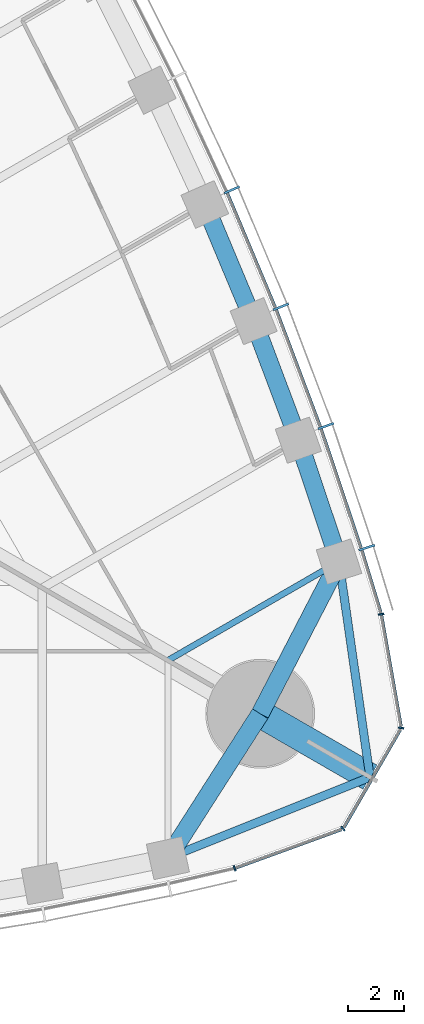
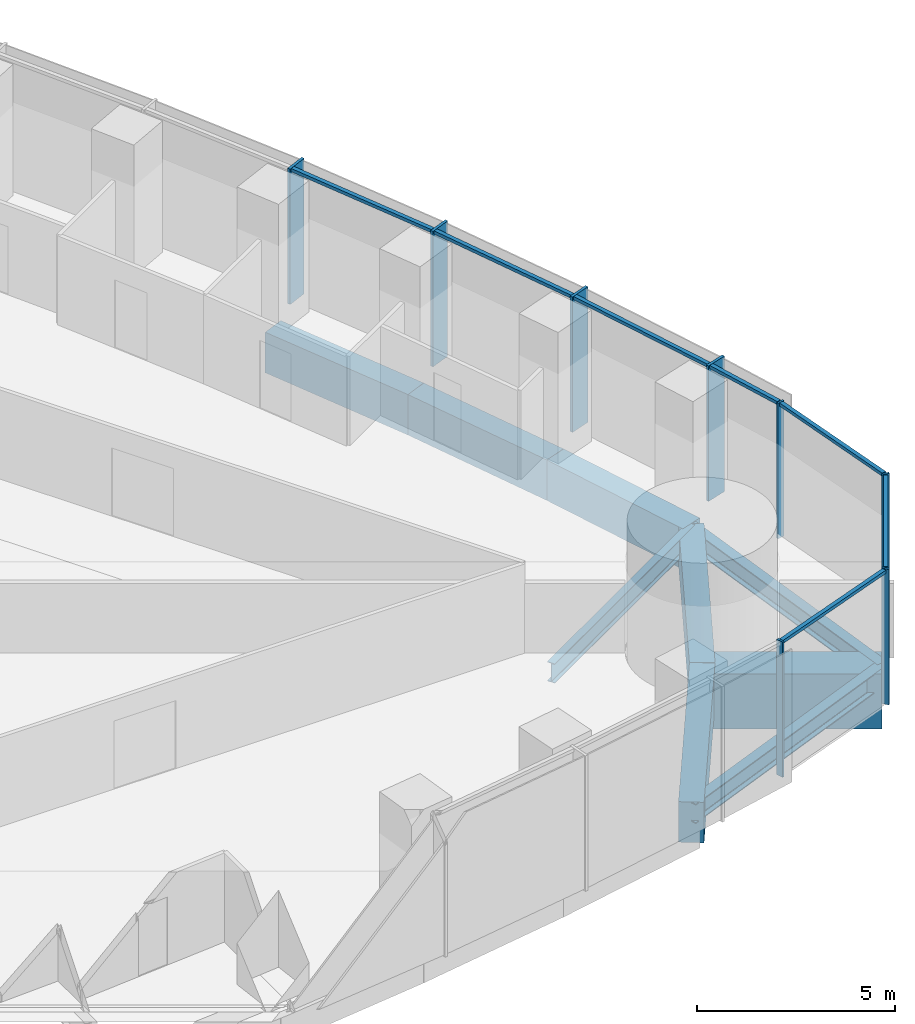
# One storey, part 8 of 19: 15 members, 9 beams, 2 elements without a shape of their own.
"""IFC4 building model written with IfcOpenShell, lengths in metres."""

from ifc_helpers import new_model, si_unit, direction, frame, origin, origin_2d, place, context, subcontext, project, spatial, rectangle, i_section, extrude, material, material_profile, profile_set, type_object, element, aggregate, save


model = new_model("IFC4")

# Units and contexts
model_context = context("Model", 3, precision=1e-05, world=origin(), true_north=direction((0.0, 1.0)))
body_context = subcontext(model_context, "Body", "Model", "MODEL_VIEW")
ifc_project = project(units=[si_unit("LENGTHUNIT", "METRE"), si_unit("AREAUNIT", "SQUARE_METRE"), si_unit("VOLUMEUNIT", "CUBIC_METRE"), si_unit("PLANEANGLEUNIT", "RADIAN"), si_unit("MASSUNIT", "GRAM", prefix="KILO")], contexts=[model_context])

# Site, building, storey
site_placement = place(None, origin())
site = spatial("IfcSite", under=ifc_project, at=site_placement, CompositionType="ELEMENT")
building_placement = place(site_placement, origin())
building = spatial("IfcBuilding", under=site, at=building_placement, Name="Trefoil Bronze Tower", CompositionType="ELEMENT")
storey_placement = place(building_placement, frame((0.0, 0.0, 128.300048828125)))
storey = spatial("IfcBuildingStorey", under=building, at=storey_placement, Name="L29", CompositionType="ELEMENT", Elevation=128.300048828125)

# Curtain wall, members
ifc_material_1 = material(Name="Tinted solar-control glass", Category="glass")
curtain_wall_type_1 = type_object("IfcCurtainWallType", Name="Bronze office curtain wall", PredefinedType="USERDEFINED", material=ifc_material_1)
curtain_wall_1_placement = place(storey_placement, origin())
curtain_wall_1 = element("IfcCurtainWall", 1, at=curtain_wall_1_placement, inside=storey, type_object=curtain_wall_type_1, Name="CW-A L29 F2", ObjectType="CURTAIN WALL", PredefinedType="USERDEFINED")
ifc_material_2 = material(Name="Bronze-finish aluminium", Category="aluminium")
ifc_material_profile_1 = material_profile(ifc_material_2, rectangle(XDim=0.60009765625, YDim=0.080078125, at=origin_2d()), Name="CW-A mullion")
ifc_profile_set_1 = profile_set([ifc_material_profile_1], Name="Bronze-finish aluminium")
member_type_1 = type_object("IfcMemberType", Name="Bronze office curtain wall mullion", PredefinedType="MULLION", material=ifc_profile_set_1)
member_1_placement = place(storey_placement, frame((34.1337890625, -11.543212890625, 0.0), z_axis=(0.0, 0.0, 1.0), x_axis=(-0.952331125357, -0.30506626768, 0.0)))
member_1 = element("IfcMember", 2, at=member_1_placement, type_object=member_type_1, Name="CW-A L29 F2 mullion 2", PredefinedType="MULLION", context=body_context, shape_type="SweptSolid", body=[
    extrude(rectangle(XDim=0.60009765625, YDim=0.080078125, at=origin_2d()), origin(), (0.0, 0.0, 1.0), 4.179931640625),
])
member_2_placement = place(storey_placement, frame((32.668701171875, -7.181884765625, 0.0), z_axis=(0.0, 0.0, 1.0), x_axis=(-0.94196250502, -0.335718094742, 0.0)))
member_2 = element("IfcMember", 3, at=member_2_placement, type_object=member_type_1, Name="CW-A L29 F2 mullion 3", PredefinedType="MULLION", context=body_context, shape_type="SweptSolid", body=[
    extrude(rectangle(XDim=0.60009765625, YDim=0.080078125, at=origin_2d()), origin(), (0.0, 0.0, 1.0), 4.179931640625),
])
member_3_placement = place(storey_placement, frame((31.055419921875, -2.90478515625, 0.0), z_axis=(0.0, 0.0, 1.0), x_axis=(-0.929071242848, -0.369900832269, 0.0)))
member_3 = element("IfcMember", 4, at=member_3_placement, type_object=member_type_1, Name="CW-A L29 F2 mullion 4", PredefinedType="MULLION", context=body_context, shape_type="SweptSolid", body=[
    extrude(rectangle(XDim=0.60009765625, YDim=0.080078125, at=origin_2d()), origin(), (0.0, 0.0, 1.0), 4.179931640625),
])
member_4_placement = place(storey_placement, frame((29.296875, 1.28857421875, 0.0), z_axis=(0.0, 0.0, 1.0), x_axis=(-0.915018269914, -0.40341240155, 0.0)))
member_4 = element("IfcMember", 5, at=member_4_placement, type_object=member_type_1, Name="CW-A L29 F2 mullion 5", PredefinedType="MULLION", context=body_context, shape_type="SweptSolid", body=[
    extrude(rectangle(XDim=0.60009765625, YDim=0.080078125, at=origin_2d()), origin(), (0.0, 0.0, 1.0), 4.179931640625),
])
ifc_material_3 = material(Name="Bronze-finish aluminium", Category="aluminium")
ifc_material_profile_2 = material_profile(ifc_material_3, rectangle(XDim=0.1201171875, YDim=0.10009765625, at=origin_2d()), Name="CW-A transom")
ifc_profile_set_2 = profile_set([ifc_material_profile_2], Name="Bronze-finish aluminium")
member_type_2 = type_object("IfcMemberType", Name="Bronze office curtain wall transom", PredefinedType="USERDEFINED", material=ifc_profile_set_2)
member_5_placement = place(storey_placement, frame((34.637939453125, -13.88232421875, 4.1298828125), z_axis=(-0.291680468798, 0.956515814883, 0.0), x_axis=(-0.956515814883, -0.291680468798, 0.0)))
member_5 = element("IfcMember", 6, at=member_5_placement, type_object=member_type_2, Name="CW-A L29 F2 transom 1", ObjectType="TRANSOM", PredefinedType="USERDEFINED", context=body_context, shape_type="SweptSolid", body=[
    extrude(rectangle(XDim=0.1201171875, YDim=0.10009765625, at=origin_2d()), origin(), (0.0, 0.0, 1.0), 2.34033203125),
])
member_6_placement = place(storey_placement, frame((33.929931640625, -11.56494140625, 4.1298828125), z_axis=(-0.318386323729, 0.947961048178, 0.0), x_axis=(-0.947961048178, -0.318386323729, 0.0)))
member_6 = element("IfcMember", 7, at=member_6_placement, type_object=member_type_2, Name="CW-A L29 F2 transom 2", ObjectType="TRANSOM", PredefinedType="USERDEFINED", context=body_context, shape_type="SweptSolid", body=[
    extrude(rectangle(XDim=0.1201171875, YDim=0.10009765625, at=origin_2d()), origin(), (0.0, 0.0, 1.0), 4.51123046875),
])
member_7_placement = place(storey_placement, frame((32.465576171875, -7.2099609375, 4.1298828125), z_axis=(-0.352932154759, 0.935648916067, 0.0), x_axis=(-0.935648916067, -0.352932154759, 0.0)))
member_7 = element("IfcMember", 8, at=member_7_placement, type_object=member_type_2, Name="CW-A L29 F2 transom 3", ObjectType="TRANSOM", PredefinedType="USERDEFINED", context=body_context, shape_type="SweptSolid", body=[
    extrude(rectangle(XDim=0.1201171875, YDim=0.10009765625, at=origin_2d()), origin(), (0.0, 0.0, 1.0), 4.48046875),
])
member_8_placement = place(storey_placement, frame((30.853515625, -2.940185546875, 4.1298828125), z_axis=(-0.386773266184, 0.922174842731, 0.0), x_axis=(-0.922174842731, -0.386773266184, 0.0)))
member_8 = element("IfcMember", 9, at=member_8_placement, type_object=member_type_2, Name="CW-A L29 F2 transom 4", ObjectType="TRANSOM", PredefinedType="USERDEFINED", context=body_context, shape_type="SweptSolid", body=[
    extrude(rectangle(XDim=0.1201171875, YDim=0.10009765625, at=origin_2d()), origin(), (0.0, 0.0, 1.0), 4.45654296875),
])
aggregate(curtain_wall_1, [member_1, member_2, member_3, member_4, member_5, member_6, member_7, member_8])

ifc_material_4 = material(Name="Tinted solar-control glass", Category="glass")
curtain_wall_type_2 = type_object("IfcCurtainWallType", Name="Bronze rounded corner curtain wall", PredefinedType="USERDEFINED", material=ifc_material_4)
curtain_wall_2_placement = place(storey_placement, origin())
curtain_wall_2 = element("IfcCurtainWall", 10, at=curtain_wall_2_placement, inside=storey, type_object=curtain_wall_type_2, Name="CW-B L29 K1", ObjectType="CURTAIN WALL", PredefinedType="USERDEFINED")
ifc_material_5 = material(Name="Bronze-finish aluminium", Category="aluminium")
ifc_material_profile_3 = material_profile(ifc_material_5, rectangle(XDim=0.199951171875, YDim=0.06005859375, at=origin_2d()), Name="CW-B mullion")
ifc_profile_set_3 = profile_set([ifc_material_profile_3], Name="Bronze-finish aluminium")
member_type_3 = type_object("IfcMemberType", Name="Bronze rounded corner curtain wall mullion", PredefinedType="MULLION", material=ifc_profile_set_3)
member_9_placement = place(storey_placement, frame((29.391845703125, -23.043701171875, 0.0), z_axis=(0.0, 0.0, 1.0), x_axis=(-0.342020143326, 0.939692620786, 0.0)))
member_9 = element("IfcMember", 11, at=member_9_placement, type_object=member_type_3, Name="CW-B L29 K1 mullion 1", PredefinedType="MULLION", context=body_context, shape_type="SweptSolid", body=[
    extrude(rectangle(XDim=0.199951171875, YDim=0.06005859375, at=origin_2d()), origin(), (0.0, 0.0, 1.0), 4.179931640625),
])
member_10_placement = place(storey_placement, frame((33.27880859375, -21.62255859375, 0.0), z_axis=(0.0, 0.0, 1.0), x_axis=(-0.642787609687, 0.766044443119, 0.0)))
member_10 = element("IfcMember", 12, at=member_10_placement, type_object=member_type_3, Name="CW-B L29 K1 mullion 2", PredefinedType="MULLION", context=body_context, shape_type="SweptSolid", body=[
    extrude(rectangle(XDim=0.199951171875, YDim=0.06005859375, at=origin_2d()), origin(), (0.0, 0.0, 1.0), 4.179931640625),
])
member_11_placement = place(storey_placement, frame((35.364990234375, -18.009033203125, 0.0), z_axis=(0.0, 0.0, 1.0), x_axis=(-0.984807753012, 0.173648177667, 0.0)))
member_11 = element("IfcMember", 13, at=member_11_placement, type_object=member_type_3, Name="CW-B L29 K1 mullion 3", PredefinedType="MULLION", context=body_context, shape_type="SweptSolid", body=[
    extrude(rectangle(XDim=0.199951171875, YDim=0.06005859375, at=origin_2d()), origin(), (0.0, 0.0, 1.0), 4.179931640625),
])
member_12_placement = place(storey_placement, frame((34.65234375, -13.932373046875, 0.0), z_axis=(0.0, 0.0, 1.0), x_axis=(-0.984807753012, -0.173648177667, 0.0)))
member_12 = element("IfcMember", 14, at=member_12_placement, type_object=member_type_3, Name="CW-B L29 K1 mullion 4", PredefinedType="MULLION", context=body_context, shape_type="SweptSolid", body=[
    extrude(rectangle(XDim=0.199951171875, YDim=0.06005859375, at=origin_2d()), origin(), (0.0, 0.0, 1.0), 4.179931640625),
])
ifc_material_6 = material(Name="Bronze-finish aluminium", Category="aluminium")
ifc_material_profile_4 = material_profile(ifc_material_6, rectangle(XDim=0.1201171875, YDim=0.10009765625, at=origin_2d()), Name="CW-B transom")
ifc_profile_set_4 = profile_set([ifc_material_profile_4], Name="Bronze-finish aluminium")
member_type_4 = type_object("IfcMemberType", Name="Bronze rounded corner curtain wall transom", PredefinedType="USERDEFINED", material=ifc_profile_set_4)
member_13_placement = place(storey_placement, frame((29.420166015625, -23.033447265625, 4.1298828125), z_axis=(0.939684096629, 0.342043562347, 0.0), x_axis=(-0.342043562347, 0.939684096629, 0.0)))
member_13 = element("IfcMember", 15, at=member_13_placement, type_object=member_type_4, Name="CW-B L29 K1 transom 1", ObjectType="TRANSOM", PredefinedType="USERDEFINED", context=body_context, shape_type="SweptSolid", body=[
    extrude(rectangle(XDim=0.1201171875, YDim=0.10009765625, at=origin_2d()), origin(), (0.0, 0.0, 1.0), 4.044189453125),
])
member_14_placement = place(storey_placement, frame((33.31591796875, -21.570068359375, 4.1298828125), z_axis=(0.500015078168, 0.866016698225, 0.0), x_axis=(-0.866016698225, 0.500015078168, 0.0)))
member_14 = element("IfcMember", 16, at=member_14_placement, type_object=member_type_4, Name="CW-B L29 K1 transom 2", ObjectType="TRANSOM", PredefinedType="USERDEFINED", context=body_context, shape_type="SweptSolid", body=[
    extrude(rectangle(XDim=0.1201171875, YDim=0.10009765625, at=origin_2d()), origin(), (0.0, 0.0, 1.0), 4.04443359375),
])
member_15_placement = place(storey_placement, frame((35.35986328125, -17.944580078125, 4.1298828125), z_axis=(-0.173682016639, 0.984801785689, 0.0), x_axis=(-0.984801785689, -0.173682016639, 0.0)))
member_15 = element("IfcMember", 17, at=member_15_placement, type_object=member_type_4, Name="CW-B L29 K1 transom 3", ObjectType="TRANSOM", PredefinedType="USERDEFINED", context=body_context, shape_type="SweptSolid", body=[
    extrude(rectangle(XDim=0.1201171875, YDim=0.10009765625, at=origin_2d()), origin(), (0.0, 0.0, 1.0), 4.044189453125),
])
aggregate(curtain_wall_2, [member_9, member_10, member_11, member_12, member_13, member_14, member_15])

# Beams
ifc_material_7 = material(Name="Concrete B80", Category="concrete")
ifc_material_profile_5 = material_profile(ifc_material_7, rectangle(XDim=1.0, YDim=1.699951171875, at=origin_2d()), Name="RC 1000x1700")
ifc_profile_set_5 = profile_set([ifc_material_profile_5], Name="Concrete B80")
beam_type_1 = type_object("IfcBeamType", Name="Corner cantilever RC 1000x1700", PredefinedType="BEAM", material=ifc_profile_set_5)
beam_1_placement = place(storey_placement, frame((30.310791015625, -17.5, -1.050048828125), z_axis=(0.866031878637, -0.499988785058, 0.0), x_axis=(0.499988785058, 0.866031878637, 0.0)))
element("IfcBeam", 18, at=beam_1_placement, inside=storey, type_object=beam_type_1, Name="Corner cantilever K1 L29", PredefinedType="BEAM", context=body_context, shape_type="SweptSolid", body=[
    extrude(rectangle(XDim=1.0, YDim=1.699951171875, at=origin_2d()), origin(), (0.0, 0.0, 1.0), 4.54931640625),
])
ifc_material_8 = material(Name="Steel C355", Category="steel")
ifc_material_profile_6 = material_profile(ifc_material_8, i_section(OverallWidth=0.300048828125, OverallDepth=0.60009765625, WebThickness=0.015380859375, FlangeThickness=0.030029296875, FilletRadius=0.027099609375, at=origin_2d()), Name="HEB 600")
ifc_profile_set_6 = profile_set([ifc_material_profile_6], Name="Steel C355")
beam_type_2 = type_object("IfcBeamType", Name="Corner edge beam HEB 600", PredefinedType="BEAM", material=ifc_profile_set_6)
for number, where, z_axis, x_axis, name in (
    (19, (27.0, -22.67724609375, -0.5), (0.928375332495, 0.371643972122, 0.0), (-0.371643972122, 0.928375332495, 0.0), "Corner edge beam F1A L29"),
    (20, (33.13916015625, -12.044189453125, -0.5), (0.142327214588, -0.989819662357, 0.0), (0.989819662357, 0.142327214588, 0.0), "Corner edge beam F2B L29"),
):
    element("IfcBeam", number, at=place(storey_placement, frame(where, z_axis=z_axis, x_axis=x_axis)), inside=storey, type_object=beam_type_2, Name=name, PredefinedType="BEAM", context=body_context, shape_type="SweptSolid", body=[
        extrude(i_section(OverallWidth=0.300048828125, OverallDepth=0.60009765625, WebThickness=0.015380859375, FlangeThickness=0.030029296875, FilletRadius=0.027099609375, at=origin_2d()), origin(), (0.0, 0.0, 1.0), 7.81005859375),
    ])
ifc_material_9 = material(Name="Concrete B80", Category="concrete")
ifc_material_profile_7 = material_profile(ifc_material_9, rectangle(XDim=0.64990234375, YDim=1.25, at=origin_2d()), Name="RC 650x1250")
ifc_profile_set_7 = profile_set([ifc_material_profile_7], Name="Concrete B80")
beam_type_3 = type_object("IfcBeamType", Name="End spandrel beam RC 650x1250", PredefinedType="SPANDREL", material=ifc_profile_set_7)
for number, where, z_axis, x_axis, name in (
    (21, (27.0, -22.67724609375, -0.824951171875), (0.53874814953, 0.84246687257, 0.0), (-0.84246687257, 0.53874814953, 0.0), "Spandrel F1.14 L29"),
    (22, (30.310791015625, -17.5, -0.824951171875), (0.460244107083, 0.887792409235, 0.0), (-0.887792409235, 0.460244107083, 0.0), "Spandrel F2.1 L29"),
):
    element("IfcBeam", number, at=place(storey_placement, frame(where, z_axis=z_axis, x_axis=x_axis)), inside=storey, type_object=beam_type_3, Name=name, PredefinedType="SPANDREL", context=body_context, shape_type="SweptSolid", body=[
        extrude(rectangle(XDim=0.64990234375, YDim=1.25, at=origin_2d()), origin(), (0.0, 0.0, 1.0), 6.145263671875),
    ])
ifc_material_10 = material(Name="Steel C355", Category="steel")
ifc_material_profile_8 = material_profile(ifc_material_10, i_section(OverallWidth=0.219970703125, OverallDepth=0.60009765625, WebThickness=0.011962890625, FlangeThickness=0.01904296875, FilletRadius=0.02392578125, at=origin_2d()), Name="IPE 600")
ifc_profile_set_8 = profile_set([ifc_material_profile_8], Name="Steel C355")
beam_type_4 = type_object("IfcBeamType", Name="Floor beam IPE 600", PredefinedType="BEAM", material=ifc_profile_set_8)
beam_2_placement = place(storey_placement, frame((33.13916015625, -12.044189453125, -0.5), z_axis=(-0.866041060244, -0.499972881236, 0.0), x_axis=(0.499972881236, -0.866041060244, 0.0)))
element("IfcBeam", 23, at=beam_2_placement, inside=storey, type_object=beam_type_4, Name="Floor beam F2/-6 L29", PredefinedType="BEAM", context=body_context, shape_type="SweptSolid", body=[
    extrude(i_section(OverallWidth=0.219970703125, OverallDepth=0.60009765625, WebThickness=0.011962890625, FlangeThickness=0.01904296875, FilletRadius=0.02392578125, at=origin_2d()), origin(), (0.0, 0.0, 1.0), 7.0888671875),
])
ifc_material_11 = material(Name="Concrete B80", Category="concrete")
ifc_material_profile_9 = material_profile(ifc_material_11, rectangle(XDim=0.64990234375, YDim=1.25, at=origin_2d()), Name="RC 650x1250")
ifc_profile_set_9 = profile_set([ifc_material_profile_9], Name="Concrete B80")
beam_type_5 = type_object("IfcBeamType", Name="Spandrel beam RC 650x1250", PredefinedType="SPANDREL", material=ifc_profile_set_9)
beam_3_placement = place(storey_placement, frame((33.13916015625, -12.044189453125, -0.824951171875), z_axis=(-0.31732802068, 0.948315837309, 0.0), x_axis=(-0.948315837309, -0.31732802068, 0.0)))
element("IfcBeam", 24, at=beam_3_placement, inside=storey, type_object=beam_type_5, Name="Spandrel F2.2 L29", PredefinedType="SPANDREL", context=body_context, shape_type="SweptSolid", body=[
    extrude(rectangle(XDim=0.64990234375, YDim=1.25, at=origin_2d()), origin(), (0.0, 0.0, 1.0), 4.59228515625),
])
beam_4_placement = place(storey_placement, frame((31.681884765625, -7.689208984375, -0.824951171875), z_axis=(-0.351938675523, 0.936023059904, 0.0), x_axis=(-0.936023059904, -0.351938675523, 0.0)))
element("IfcBeam", 25, at=beam_4_placement, inside=storey, type_object=beam_type_5, Name="Spandrel F2.3 L29", PredefinedType="SPANDREL", context=body_context, shape_type="SweptSolid", body=[
    extrude(rectangle(XDim=0.64990234375, YDim=1.25, at=origin_2d()), origin(), (0.0, 0.0, 1.0), 4.56103515625),
])
beam_5_placement = place(storey_placement, frame((30.07666015625, -3.419921875, -0.824951171875), z_axis=(-0.386013490858, 0.922493135408, 0.0), x_axis=(-0.922493135408, -0.386013490858, 0.0)))
element("IfcBeam", 26, at=beam_5_placement, inside=storey, type_object=beam_type_5, Name="Spandrel F2.4 L29", PredefinedType="SPANDREL", context=body_context, shape_type="SweptSolid", body=[
    extrude(rectangle(XDim=0.64990234375, YDim=1.25, at=origin_2d()), origin(), (0.0, 0.0, 1.0), 4.53662109375),
])

save(model, "model.ifc")
